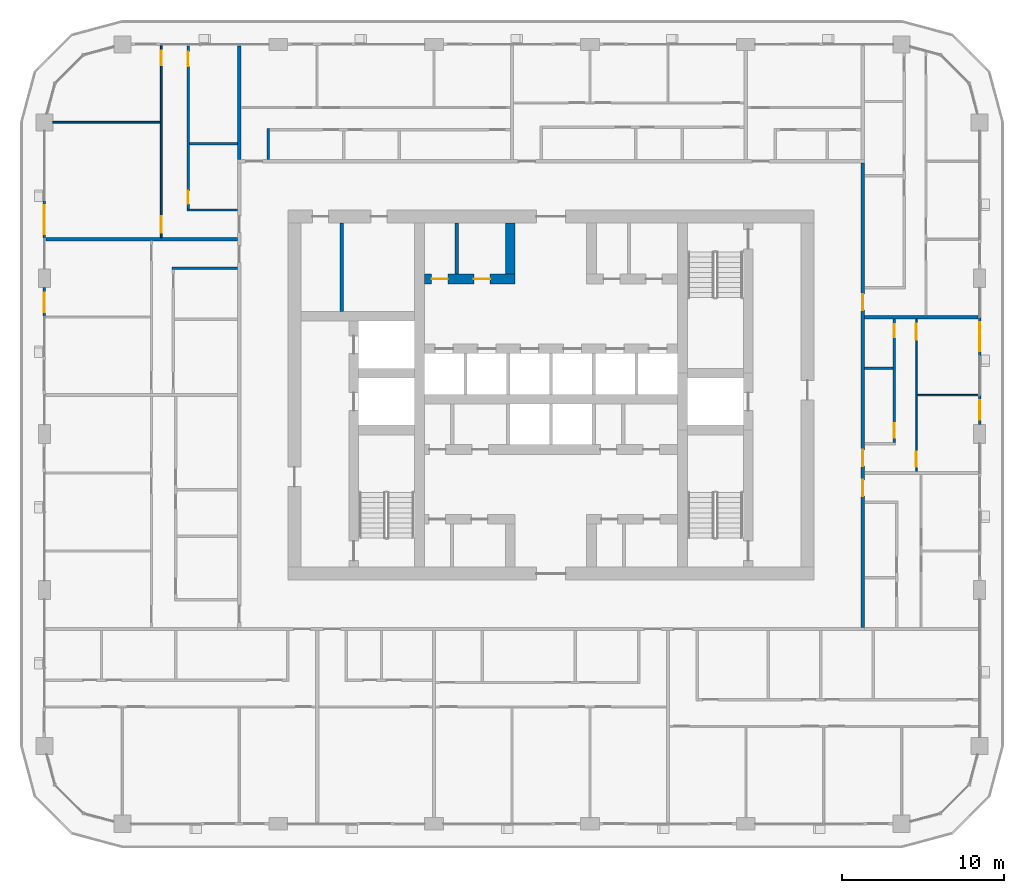
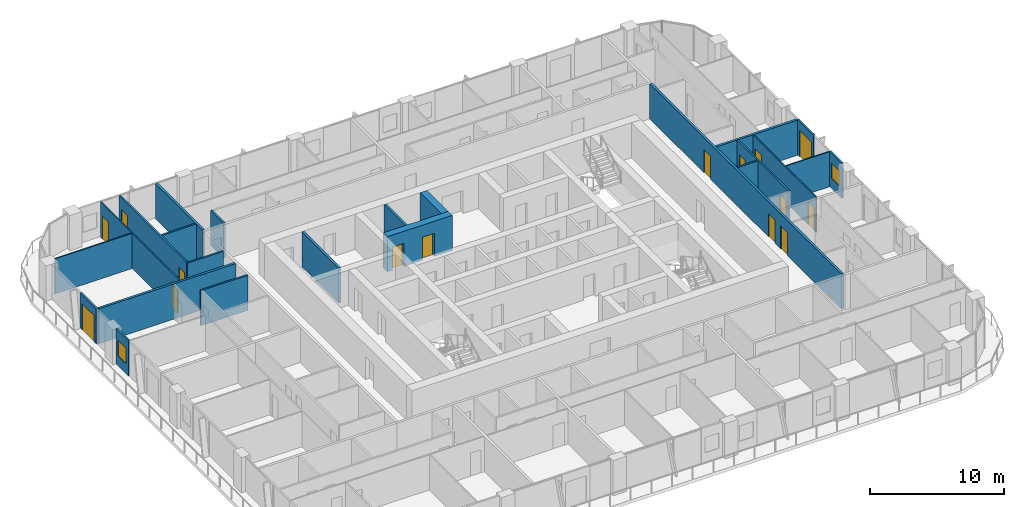
# One storey, part 13 of 22: 23 walls, 15 doors, 2 windows, 17 openings.
"""IFC4 building model written with IfcOpenShell, lengths in metres."""

from ifc_helpers import new_model, si_unit, direction, frame, frame_2d, origin, place, context, subcontext, project, spatial, rectangle, extrude, material, layer, layer_set, type_object, element, fill, save


model = new_model("IFC4")

# Units and contexts
model_context = context("Model", 3, precision=1e-05, world=origin(), true_north=direction((0.0, 1.0)))
body_context = subcontext(model_context, "Body", "Model", "MODEL_VIEW")
ifc_project = project(units=[si_unit("LENGTHUNIT", "METRE"), si_unit("AREAUNIT", "SQUARE_METRE"), si_unit("VOLUMEUNIT", "CUBIC_METRE"), si_unit("PLANEANGLEUNIT", "RADIAN"), si_unit("MASSUNIT", "GRAM", prefix="KILO")], contexts=[model_context])

# Site, building, storey
site_placement = place(None, origin())
site = spatial("IfcSite", under=ifc_project, at=site_placement, CompositionType="ELEMENT")
building_placement = place(site_placement, origin())
building = spatial("IfcBuilding", under=site, at=building_placement, Name="Madar Terraces", CompositionType="ELEMENT")
storey_placement = place(building_placement, frame((0.0, 0.0, 166.5)))
storey = spatial("IfcBuildingStorey", under=building, at=storey_placement, Name="L43", CompositionType="ELEMENT", Elevation=166.5)

# Wall, openings, doors
ifc_material_1 = material(Name="Concrete C70/85", Category="concrete")
ifc_layer_1 = layer(ifc_material_1, 0.60009765625)
ifc_layer_set_1 = layer_set([ifc_layer_1], Name="Concrete C70/85 (CIW3 RC wall 600)")
wall_type_1 = type_object("IfcWallType", Name="CIW3 RC wall 600", PredefinedType="SHEAR", material=ifc_layer_set_1)
wall_1_placement = place(storey_placement, frame((23.39990234375, 33.550048828125, 0.0), z_axis=(0.0, 0.0, 1.0), x_axis=(1.0, 0.0, 0.0)))
wall_1 = element("IfcWall", 1, at=wall_1_placement, inside=storey, type_object=wall_type_1, Name="CORE SHAFT WALL", PredefinedType="SHEAR", context=body_context, shape_type="SweptSolid", body=[
    extrude(rectangle(XDim=5.60009765625, YDim=0.60009765625, at=frame_2d((2.800048828125, 0.0))), origin(), (0.0, 0.0, 1.0), 3.199951171875),
])
opening_1_placement = place(wall_1_placement, frame((0.449951171875, 0.0, 0.0)))
opening_1 = element("IfcOpeningElement", 2, at=opening_1_placement, cuts=wall_1, Name="Opening KD2", PredefinedType="OPENING", context=body_context, shape_type="SweptSolid", body=[
    extrude(rectangle(XDim=1.0, YDim=2.10009765625, at=frame_2d((0.5, 1.050048828125))), frame((0.0, 0.31005859375, 0.0), z_axis=(0.0, -1.0, 0.0), x_axis=(1.0, 0.0, 0.0)), (0.0, 0.0, 1.0), 0.6201171875),
])
opening_2_placement = place(wall_1_placement, frame((3.050048828125, 0.0, 0.0)))
opening_2 = element("IfcOpeningElement", 3, at=opening_2_placement, cuts=wall_1, Name="Opening KD2", PredefinedType="OPENING", context=body_context, shape_type="SweptSolid", body=[
    extrude(rectangle(XDim=1.0, YDim=2.10009765625, at=frame_2d((0.5, 1.050048828125))), frame((0.0, 0.31005859375, 0.0), z_axis=(0.0, -1.0, 0.0), x_axis=(1.0, 0.0, 0.0)), (0.0, 0.0, 1.0), 0.6201171875),
])
ifc_material_2 = material(Name="Steel door leaf", Category="steel")
door_type_1 = type_object("IfcDoorType", Name="Service room door 1000 x 2100", OperationType="NOTDEFINED", PredefinedType="DOOR", material=ifc_material_2)
door_1_placement = place(opening_1_placement, frame((1.0, 0.0, 0.0), z_axis=(0.0, 0.0, 1.0), x_axis=(-1.0, 0.0, 0.0)))
door_1 = element("IfcDoor", 4, at=door_1_placement, inside=storey, type_object=door_type_1, Name="SERVICE ROOM DOOR", OperationType="SINGLE_SWING_RIGHT", OverallHeight=2.10009765625, OverallWidth=1.0, PredefinedType="DOOR", context=body_context, shape_type="SweptSolid", body=[
    extrude(rectangle(XDim=1.0, YDim=2.10009765625, at=frame_2d((0.5, 1.050048828125))), frame((0.0, 0.02490234375, 0.0), z_axis=(0.0, -1.0, 0.0), x_axis=(1.0, 0.0, 0.0)), (0.0, 0.0, 1.0), 0.050048828125),
])
fill(opening_1, door_1)
door_2_placement = place(opening_2_placement, frame((1.0, 0.0, 0.0), z_axis=(0.0, 0.0, 1.0), x_axis=(-1.0, 0.0, 0.0)))
door_2 = element("IfcDoor", 5, at=door_2_placement, inside=storey, type_object=door_type_1, Name="SERVICE ROOM DOOR", OperationType="SINGLE_SWING_LEFT", OverallHeight=2.10009765625, OverallWidth=1.0, PredefinedType="DOOR", context=body_context, shape_type="SweptSolid", body=[
    extrude(rectangle(XDim=1.0, YDim=2.10009765625, at=frame_2d((0.5, 1.050048828125))), frame((0.0, 0.02490234375, 0.0), z_axis=(0.0, -1.0, 0.0), x_axis=(1.0, 0.0, 0.0)), (0.0, 0.0, 1.0), 0.050048828125),
])
fill(opening_2, door_2)

# Walls
wall_2_placement = place(storey_placement, frame((28.699951171875, 33.85009765625, 0.0), z_axis=(0.0, 0.0, 1.0), x_axis=(0.0, 1.0, 0.0)))
element("IfcWall", 6, at=wall_2_placement, inside=storey, type_object=wall_type_1, Name="CORE SHAFT WALL", PredefinedType="SHEAR", context=body_context, shape_type="SweptSolid", body=[
    extrude(rectangle(XDim=3.14990234375, YDim=0.60009765625, at=frame_2d((1.574951171875, 0.0))), origin(), (0.0, 0.0, 1.0), 3.199951171875),
])
ifc_material_3 = material(Name="Masonry blockwork", Category="masonry")
ifc_layer_2 = layer(ifc_material_3, 0.199951171875)
ifc_layer_set_2 = layer_set([ifc_layer_2], Name="Core partition 200 blockwork")
wall_type_2 = type_object("IfcWallType", Name="Core partition 200 blockwork", PredefinedType="PARTITIONING", material=ifc_layer_set_2)
wall_3_placement = place(storey_placement, frame((18.320068359375, 31.550048828125, 0.0), z_axis=(0.0, 0.0, 1.0), x_axis=(0.0, 1.0, 0.0)))
element("IfcWall", 7, at=wall_3_placement, inside=storey, type_object=wall_type_2, Name="SERVICE ROOM PARTITION", PredefinedType="PARTITIONING", context=body_context, shape_type="SweptSolid", body=[
    extrude(rectangle(XDim=5.449951171875, YDim=0.199951171875, at=frame_2d((2.72509765625, 0.0))), origin(), (0.0, 0.0, 1.0), 3.199951171875),
])
wall_4_placement = place(storey_placement, frame((25.39990234375, 33.85009765625, 0.0), z_axis=(0.0, 0.0, 1.0), x_axis=(0.0, 1.0, 0.0)))
element("IfcWall", 8, at=wall_4_placement, inside=storey, type_object=wall_type_2, Name="SERVICE ROOM PARTITION", PredefinedType="PARTITIONING", context=body_context, shape_type="SweptSolid", body=[
    extrude(rectangle(XDim=3.14990234375, YDim=0.199951171875, at=frame_2d((1.574951171875, 0.0))), origin(), (0.0, 0.0, 1.0), 3.199951171875),
])

# Wall, opening, window
ifc_material_4 = material(Name="Aluminium composite panel, black, over insulated backing", Category="aluminium")
ifc_layer_3 = layer(ifc_material_4, 0.14990234375)
ifc_layer_set_3 = layer_set([ifc_layer_3], Name="Facade bay panel 150")
wall_type_3 = type_object("IfcWallType", Name="Facade bay panel 150", PredefinedType="SOLIDWALL", material=ifc_layer_set_3)
wall_5_placement = place(storey_placement, frame((57.60009765625, 24.574951171875, 0.0), z_axis=(0.0, 0.0, 1.0), x_axis=(0.0, 1.0, 0.0)))
wall_5 = element("IfcWall", 9, at=wall_5_placement, inside=storey, type_object=wall_type_3, Name="Facade bay panel", PredefinedType="SOLIDWALL", context=body_context, shape_type="SweptSolid", body=[
    extrude(rectangle(XDim=1.824951171875, YDim=0.14990234375, at=frame_2d((0.91259765625, 0.0))), origin(), (0.0, 0.0, 1.0), 3.199951171875),
])
opening_3_placement = place(wall_5_placement, frame((0.3125, 0.0, 0.89990234375)))
opening_3 = element("IfcOpeningElement", 10, at=opening_3_placement, cuts=wall_5, Name="Opening W1", PredefinedType="OPENING", context=body_context, shape_type="SweptSolid", body=[
    extrude(rectangle(XDim=1.199951171875, YDim=1.39990234375, at=frame_2d((0.60009765625, 0.699951171875))), frame((0.0, 0.0849609375, 0.0), z_axis=(0.0, -1.0, 0.0), x_axis=(1.0, 0.0, 0.0)), (0.0, 0.0, 1.0), 0.169921875),
])
ifc_material_5 = material(Name="Glass, clear, with black aluminium frame", Category="aluminium")
window_type = type_object("IfcWindowType", Name="Vent window 1200 x 1400", PartitioningType="SINGLE_PANEL", PredefinedType="WINDOW", material=ifc_material_5)
window_1_placement = place(opening_3_placement, origin())
window_1 = element("IfcWindow", 11, at=window_1_placement, inside=storey, type_object=window_type, Name="Operable vent window", OverallHeight=1.39990234375, OverallWidth=1.199951171875, PartitioningType="SINGLE_PANEL", PredefinedType="WINDOW", context=body_context, shape_type="SweptSolid", body=[
    extrude(rectangle(XDim=1.199951171875, YDim=1.39990234375, at=frame_2d((0.60009765625, 0.699951171875))), frame((0.0, 0.030029296875, 0.0), z_axis=(0.0, -1.0, 0.0), x_axis=(1.0, 0.0, 0.0)), (0.0, 0.0, 1.0), 0.06005859375),
])
fill(opening_3, window_1)

# Wall, opening, door
wall_6_placement = place(storey_placement, frame((57.60009765625, 28.800048828125, 0.0), z_axis=(0.0, 0.0, 1.0), x_axis=(0.0, 1.0, 0.0)))
wall_6 = element("IfcWall", 12, at=wall_6_placement, inside=storey, type_object=wall_type_3, Name="Facade bay panel", PredefinedType="SOLIDWALL", context=body_context, shape_type="SweptSolid", body=[
    extrude(rectangle(XDim=2.39990234375, YDim=0.14990234375, at=frame_2d((1.199951171875, 0.0))), origin(), (0.0, 0.0, 1.0), 3.199951171875),
])
opening_4_placement = place(wall_6_placement, frame((0.300048828125, 0.0, 0.0)))
opening_4 = element("IfcOpeningElement", 13, at=opening_4_placement, cuts=wall_6, Name="Opening ED1", PredefinedType="OPENING", context=body_context, shape_type="SweptSolid", body=[
    extrude(rectangle(XDim=1.800048828125, YDim=2.39990234375, at=frame_2d((0.89990234375, 1.199951171875))), frame((0.0, 0.0849609375, 0.0), z_axis=(0.0, -1.0, 0.0), x_axis=(1.0, 0.0, 0.0)), (0.0, 0.0, 1.0), 0.169921875),
])
ifc_material_6 = material(Name="Glass, clear, with black aluminium frame", Category="aluminium")
door_type_2 = type_object("IfcDoorType", Name="Balcony and terrace sliding door 1800 x 2400", OperationType="SLIDING_TO_LEFT", PredefinedType="DOOR", material=ifc_material_6)
door_3_placement = place(opening_4_placement, origin())
door_3 = element("IfcDoor", 14, at=door_3_placement, inside=storey, type_object=door_type_2, Name="Balcony door", OperationType="SLIDING_TO_RIGHT", OverallHeight=2.39990234375, OverallWidth=1.800048828125, PredefinedType="DOOR", context=body_context, shape_type="SweptSolid", body=[
    extrude(rectangle(XDim=1.800048828125, YDim=2.39990234375, at=frame_2d((0.89990234375, 1.199951171875))), frame((0.0, 0.02490234375, 0.0), z_axis=(0.0, -1.0, 0.0), x_axis=(1.0, 0.0, 0.0)), (0.0, 0.0, 1.0), 0.050048828125),
])
fill(opening_4, door_3)

wall_7_placement = place(storey_placement, frame((0.0, 38.39990234375, 0.0), z_axis=(0.0, 0.0, 1.0), x_axis=(0.0, -1.0, 0.0)))
wall_7 = element("IfcWall", 15, at=wall_7_placement, inside=storey, type_object=wall_type_3, Name="Facade bay panel", PredefinedType="SOLIDWALL", context=body_context, shape_type="SweptSolid", body=[
    extrude(rectangle(XDim=2.39990234375, YDim=0.14990234375, at=frame_2d((1.199951171875, 0.0))), origin(), (0.0, 0.0, 1.0), 3.199951171875),
])
opening_5_placement = place(wall_7_placement, frame((0.300048828125, 0.0, 0.0)))
opening_5 = element("IfcOpeningElement", 16, at=opening_5_placement, cuts=wall_7, Name="Opening ED1", PredefinedType="OPENING", context=body_context, shape_type="SweptSolid", body=[
    extrude(rectangle(XDim=1.800048828125, YDim=2.39990234375, at=frame_2d((0.89990234375, 1.199951171875))), frame((0.0, 0.0849609375, 0.0), z_axis=(0.0, -1.0, 0.0), x_axis=(1.0, 0.0, 0.0)), (0.0, 0.0, 1.0), 0.169921875),
])
door_4_placement = place(opening_5_placement, origin())
door_4 = element("IfcDoor", 17, at=door_4_placement, inside=storey, type_object=door_type_2, Name="Balcony door", OperationType="SLIDING_TO_LEFT", OverallHeight=2.39990234375, OverallWidth=1.800048828125, PredefinedType="DOOR", context=body_context, shape_type="SweptSolid", body=[
    extrude(rectangle(XDim=1.800048828125, YDim=2.39990234375, at=frame_2d((0.89990234375, 1.199951171875))), frame((0.0, 0.02490234375, 0.0), z_axis=(0.0, -1.0, 0.0), x_axis=(1.0, 0.0, 0.0)), (0.0, 0.0, 1.0), 0.050048828125),
])
fill(opening_5, door_4)

# Wall, opening, window
wall_8_placement = place(storey_placement, frame((0.0, 33.02490234375, 0.0), z_axis=(0.0, 0.0, 1.0), x_axis=(0.0, -1.0, 0.0)))
wall_8 = element("IfcWall", 18, at=wall_8_placement, inside=storey, type_object=wall_type_3, Name="Facade bay panel", PredefinedType="SOLIDWALL", context=body_context, shape_type="SweptSolid", body=[
    extrude(rectangle(XDim=1.824951171875, YDim=0.14990234375, at=frame_2d((0.91259765625, 0.0))), origin(), (0.0, 0.0, 1.0), 3.199951171875),
])
opening_6_placement = place(wall_8_placement, frame((0.3125, 0.0, 0.89990234375)))
opening_6 = element("IfcOpeningElement", 19, at=opening_6_placement, cuts=wall_8, Name="Opening W1", PredefinedType="OPENING", context=body_context, shape_type="SweptSolid", body=[
    extrude(rectangle(XDim=1.199951171875, YDim=1.39990234375, at=frame_2d((0.60009765625, 0.699951171875))), frame((0.0, 0.0849609375, 0.0), z_axis=(0.0, -1.0, 0.0), x_axis=(1.0, 0.0, 0.0)), (0.0, 0.0, 1.0), 0.169921875),
])
window_2_placement = place(opening_6_placement, origin())
window_2 = element("IfcWindow", 20, at=window_2_placement, inside=storey, type_object=window_type, Name="Operable vent window", OverallHeight=1.39990234375, OverallWidth=1.199951171875, PartitioningType="SINGLE_PANEL", PredefinedType="WINDOW", context=body_context, shape_type="SweptSolid", body=[
    extrude(rectangle(XDim=1.199951171875, YDim=1.39990234375, at=frame_2d((0.60009765625, 0.699951171875))), frame((0.0, 0.030029296875, 0.0), z_axis=(0.0, -1.0, 0.0), x_axis=(1.0, 0.0, 0.0)), (0.0, 0.0, 1.0), 0.06005859375),
])
fill(opening_6, window_2)

# Wall
ifc_material_7 = material(Name="Gypsum board on steel studs", Category="steel")
ifc_layer_4 = layer(ifc_material_7, 0.10009765625)
ifc_layer_set_4 = layer_set([ifc_layer_4], Name="Flat partition 100")
wall_type_4 = type_object("IfcWallType", Name="Flat partition 100", PredefinedType="PARTITIONING", material=ifc_layer_set_4)
wall_9_placement = place(storey_placement, frame((53.75, 26.39990234375, 0.0), z_axis=(0.0, 0.0, 1.0), x_axis=(1.0, 0.0, 0.0)))
element("IfcWall", 21, at=wall_9_placement, inside=storey, type_object=wall_type_4, Name="Flat partition 100", PredefinedType="PARTITIONING", context=body_context, shape_type="SweptSolid", body=[
    extrude(rectangle(XDim=3.75, YDim=0.10009765625, at=frame_2d((1.875, 0.0))), origin(), (0.0, 0.0, 1.0), 3.199951171875),
])

# Wall, openings, doors
wall_10_placement = place(storey_placement, frame((53.699951171875, 31.10009765625, 0.0), z_axis=(0.0, 0.0, 1.0), x_axis=(0.0, -1.0, 0.0)))
wall_10 = element("IfcWall", 22, at=wall_10_placement, inside=storey, type_object=wall_type_4, Name="Flat partition 100", PredefinedType="PARTITIONING", context=body_context, shape_type="SweptSolid", body=[
    extrude(rectangle(XDim=9.400146484375, YDim=0.10009765625, at=frame_2d((4.7001953125, 0.0))), origin(), (0.0, 0.0, 1.0), 3.199951171875),
])
opening_7_placement = place(wall_10_placement, frame((8.199951171875, 0.0, 0.0)))
opening_7 = element("IfcOpeningElement", 23, at=opening_7_placement, cuts=wall_10, Name="Opening D2", PredefinedType="OPENING", context=body_context, shape_type="SweptSolid", body=[
    extrude(rectangle(XDim=0.89990234375, YDim=2.10009765625, at=frame_2d((0.449951171875, 1.050048828125))), frame((0.0, 0.06005859375, 0.0), z_axis=(0.0, -1.0, 0.0), x_axis=(1.0, 0.0, 0.0)), (0.0, 0.0, 1.0), 0.1201171875),
])
opening_8_placement = place(wall_10_placement, frame((0.300048828125, 0.0, 0.0)))
opening_8 = element("IfcOpeningElement", 24, at=opening_8_placement, cuts=wall_10, Name="Opening D3", PredefinedType="OPENING", context=body_context, shape_type="SweptSolid", body=[
    extrude(rectangle(XDim=1.0, YDim=2.10009765625, at=frame_2d((0.5, 1.050048828125))), frame((0.0, 0.06005859375, 0.0), z_axis=(0.0, -1.0, 0.0), x_axis=(1.0, 0.0, 0.0)), (0.0, 0.0, 1.0), 0.1201171875),
])
ifc_material_8 = material(Name="Timber door leaf", Category="wood")
door_type_3 = type_object("IfcDoorType", Name="Flat living room door 1000", OperationType="NOTDEFINED", PredefinedType="DOOR", material=ifc_material_8)
door_5_placement = place(opening_8_placement, origin())
door_5 = element("IfcDoor", 25, at=door_5_placement, inside=storey, type_object=door_type_3, Name="Flat living room door 1000", OperationType="SINGLE_SWING_LEFT", OverallHeight=2.10009765625, OverallWidth=1.0, PredefinedType="DOOR", context=body_context, shape_type="SweptSolid", body=[
    extrude(rectangle(XDim=1.0, YDim=2.10009765625, at=frame_2d((0.5, 1.050048828125))), frame((0.0, 0.02490234375, 0.0), z_axis=(0.0, -1.0, 0.0), x_axis=(1.0, 0.0, 0.0)), (0.0, 0.0, 1.0), 0.050048828125),
])
fill(opening_8, door_5)
ifc_material_9 = material(Name="Timber door leaf", Category="wood")
door_type_4 = type_object("IfcDoorType", Name="Flat room door 900", OperationType="NOTDEFINED", PredefinedType="DOOR", material=ifc_material_9)
door_6_placement = place(opening_7_placement, origin())
door_6 = element("IfcDoor", 26, at=door_6_placement, inside=storey, type_object=door_type_4, Name="Flat room door 900", OperationType="SINGLE_SWING_RIGHT", OverallHeight=2.10009765625, OverallWidth=0.89990234375, PredefinedType="DOOR", context=body_context, shape_type="SweptSolid", body=[
    extrude(rectangle(XDim=0.89990234375, YDim=2.10009765625, at=frame_2d((0.449951171875, 1.050048828125))), frame((0.0, 0.02490234375, 0.0), z_axis=(0.0, -1.0, 0.0), x_axis=(1.0, 0.0, 0.0)), (0.0, 0.0, 1.0), 0.050048828125),
])
fill(opening_7, door_6)

# Wall
wall_11_placement = place(storey_placement, frame((7.14990234375, 43.199951171875, 0.0), z_axis=(0.0, 0.0, 1.0), x_axis=(-1.0, 0.0, 0.0)))
element("IfcWall", 27, at=wall_11_placement, inside=storey, type_object=wall_type_4, Name="Flat partition 100", PredefinedType="PARTITIONING", context=body_context, shape_type="SweptSolid", body=[
    extrude(rectangle(XDim=6.625, YDim=0.10009765625, at=frame_2d((3.3125, 0.0))), origin(), (0.0, 0.0, 1.0), 3.199951171875),
])

# Wall, openings, doors
wall_12_placement = place(storey_placement, frame((7.199951171875, 36.10009765625, 0.0), z_axis=(0.0, 0.0, 1.0), x_axis=(0.0, 1.0, 0.0)))
wall_12 = element("IfcWall", 28, at=wall_12_placement, inside=storey, type_object=wall_type_4, Name="Flat partition 100", PredefinedType="PARTITIONING", context=body_context, shape_type="SweptSolid", body=[
    extrude(rectangle(XDim=11.7998046875, YDim=0.10009765625, at=frame_2d((5.89990234375, 0.0))), origin(), (0.0, 0.0, 1.0), 3.199951171875),
])
opening_9_placement = place(wall_12_placement, frame((0.300048828125, 0.0, 0.0)))
opening_9 = element("IfcOpeningElement", 29, at=opening_9_placement, cuts=wall_12, Name="Opening D3", PredefinedType="OPENING", context=body_context, shape_type="SweptSolid", body=[
    extrude(rectangle(XDim=1.0, YDim=2.10009765625, at=frame_2d((0.5, 1.050048828125))), frame((0.0, 0.06005859375, 0.0), z_axis=(0.0, -1.0, 0.0), x_axis=(1.0, 0.0, 0.0)), (0.0, 0.0, 1.0), 0.1201171875),
])
opening_10_placement = place(wall_12_placement, frame((10.60009765625, 0.0, 0.0)))
opening_10 = element("IfcOpeningElement", 30, at=opening_10_placement, cuts=wall_12, Name="Opening D2", PredefinedType="OPENING", context=body_context, shape_type="SweptSolid", body=[
    extrude(rectangle(XDim=0.89990234375, YDim=2.10009765625, at=frame_2d((0.449951171875, 1.050048828125))), frame((0.0, 0.06005859375, 0.0), z_axis=(0.0, -1.0, 0.0), x_axis=(1.0, 0.0, 0.0)), (0.0, 0.0, 1.0), 0.1201171875),
])
door_7_placement = place(opening_9_placement, origin())
door_7 = element("IfcDoor", 31, at=door_7_placement, inside=storey, type_object=door_type_3, Name="Flat living room door 1000", OperationType="SINGLE_SWING_LEFT", OverallHeight=2.10009765625, OverallWidth=1.0, PredefinedType="DOOR", context=body_context, shape_type="SweptSolid", body=[
    extrude(rectangle(XDim=1.0, YDim=2.10009765625, at=frame_2d((0.5, 1.050048828125))), frame((0.0, 0.02490234375, 0.0), z_axis=(0.0, -1.0, 0.0), x_axis=(1.0, 0.0, 0.0)), (0.0, 0.0, 1.0), 0.050048828125),
])
fill(opening_9, door_7)
door_8_placement = place(opening_10_placement, origin())
door_8 = element("IfcDoor", 32, at=door_8_placement, inside=storey, type_object=door_type_4, Name="Flat room door 900", OperationType="SINGLE_SWING_RIGHT", OverallHeight=2.10009765625, OverallWidth=0.89990234375, PredefinedType="DOOR", context=body_context, shape_type="SweptSolid", body=[
    extrude(rectangle(XDim=0.89990234375, YDim=2.10009765625, at=frame_2d((0.449951171875, 1.050048828125))), frame((0.0, 0.02490234375, 0.0), z_axis=(0.0, -1.0, 0.0), x_axis=(1.0, 0.0, 0.0)), (0.0, 0.0, 1.0), 0.050048828125),
])
fill(opening_10, door_8)

ifc_material_10 = material(Name="Lightweight blockwork", Category="masonry")
ifc_layer_5 = layer(ifc_material_10, 0.199951171875)
ifc_layer_set_5 = layer_set([ifc_layer_5], Name="Flat party and entrance wall 200")
wall_type_5 = type_object("IfcWallType", Name="Flat party and entrance wall 200", PredefinedType="PARTITIONING", material=ifc_layer_set_5)
wall_13_placement = place(storey_placement, frame((50.39990234375, 40.699951171875, 0.0), z_axis=(0.0, 0.0, 1.0), x_axis=(0.0, -1.0, 0.0)))
wall_13 = element("IfcWall", 33, at=wall_13_placement, inside=storey, type_object=wall_type_5, Name="Flat party and entrance wall 200", PredefinedType="PARTITIONING", context=body_context, shape_type="SweptSolid", body=[
    extrude(rectangle(XDim=28.599853515625, YDim=0.199951171875, at=frame_2d((14.2998046875, 0.0))), origin(), (0.0, 0.0, 1.0), 3.199951171875),
])
opening_11_placement = place(wall_13_placement, frame((19.52490234375, 0.0, 0.0)))
opening_11 = element("IfcOpeningElement", 34, at=opening_11_placement, cuts=wall_13, Name="Opening D1", PredefinedType="OPENING", context=body_context, shape_type="SweptSolid", body=[
    extrude(rectangle(XDim=1.0, YDim=2.10009765625, at=frame_2d((0.5, 1.050048828125))), frame((0.0, 0.10986328125, 0.0), z_axis=(0.0, -1.0, 0.0), x_axis=(1.0, 0.0, 0.0)), (0.0, 0.0, 1.0), 0.219970703125),
])
opening_12_placement = place(wall_13_placement, frame((17.675048828125, 0.0, 0.0)))
opening_12 = element("IfcOpeningElement", 35, at=opening_12_placement, cuts=wall_13, Name="Opening D1", PredefinedType="OPENING", context=body_context, shape_type="SweptSolid", body=[
    extrude(rectangle(XDim=1.0, YDim=2.10009765625, at=frame_2d((0.5, 1.050048828125))), frame((0.0, 0.10986328125, 0.0), z_axis=(0.0, -1.0, 0.0), x_axis=(1.0, 0.0, 0.0)), (0.0, 0.0, 1.0), 0.219970703125),
])
opening_13_placement = place(wall_13_placement, frame((8.074951171875, 0.0, 0.0)))
opening_13 = element("IfcOpeningElement", 36, at=opening_13_placement, cuts=wall_13, Name="Opening D1", PredefinedType="OPENING", context=body_context, shape_type="SweptSolid", body=[
    extrude(rectangle(XDim=1.0, YDim=2.10009765625, at=frame_2d((0.5, 1.050048828125))), frame((0.0, 0.10986328125, 0.0), z_axis=(0.0, -1.0, 0.0), x_axis=(1.0, 0.0, 0.0)), (0.0, 0.0, 1.0), 0.219970703125),
])
ifc_material_11 = material(Name="Timber fire door leaf", Category="wood")
door_type_5 = type_object("IfcDoorType", Name="Flat entrance door 1000 FD30S", OperationType="NOTDEFINED", PredefinedType="DOOR", material=ifc_material_11)
door_9_placement = place(opening_11_placement, origin())
door_9 = element("IfcDoor", 37, at=door_9_placement, inside=storey, type_object=door_type_5, Name="Flat entrance door 1000 FD30S", OperationType="SINGLE_SWING_LEFT", OverallHeight=2.10009765625, OverallWidth=1.0, PredefinedType="DOOR", context=body_context, shape_type="SweptSolid", body=[
    extrude(rectangle(XDim=1.0, YDim=2.10009765625, at=frame_2d((0.5, 1.050048828125))), frame((0.0, 0.02490234375, 0.0), z_axis=(0.0, -1.0, 0.0), x_axis=(1.0, 0.0, 0.0)), (0.0, 0.0, 1.0), 0.050048828125),
])
fill(opening_11, door_9)
door_10_placement = place(opening_12_placement, origin())
door_10 = element("IfcDoor", 38, at=door_10_placement, inside=storey, type_object=door_type_5, Name="Flat entrance door 1000 FD30S", OperationType="SINGLE_SWING_RIGHT", OverallHeight=2.10009765625, OverallWidth=1.0, PredefinedType="DOOR", context=body_context, shape_type="SweptSolid", body=[
    extrude(rectangle(XDim=1.0, YDim=2.10009765625, at=frame_2d((0.5, 1.050048828125))), frame((0.0, 0.02490234375, 0.0), z_axis=(0.0, -1.0, 0.0), x_axis=(1.0, 0.0, 0.0)), (0.0, 0.0, 1.0), 0.050048828125),
])
fill(opening_12, door_10)
door_11_placement = place(opening_13_placement, origin())
door_11 = element("IfcDoor", 39, at=door_11_placement, inside=storey, type_object=door_type_5, Name="Flat entrance door 1000 FD30S", OperationType="SINGLE_SWING_RIGHT", OverallHeight=2.10009765625, OverallWidth=1.0, PredefinedType="DOOR", context=body_context, shape_type="SweptSolid", body=[
    extrude(rectangle(XDim=1.0, YDim=2.10009765625, at=frame_2d((0.5, 1.050048828125))), frame((0.0, 0.02490234375, 0.0), z_axis=(0.0, -1.0, 0.0), x_axis=(1.0, 0.0, 0.0)), (0.0, 0.0, 1.0), 0.050048828125),
])
fill(opening_13, door_11)

# Walls
for number, where, z_axis, x_axis, name in (
    (40, (50.5, 31.199951171875, 0.0), (0.0, 0.0, 1.0), (1.0, 0.0, 0.0), "Flat party and entrance wall 200"),
    (41, (12.0, 47.89990234375, 0.0), (0.0, 0.0, 1.0), (0.0, -1.0, 0.0), "Flat party and entrance wall 200"),
):
    element("IfcWall", number, at=place(storey_placement, frame(where, z_axis=z_axis, x_axis=x_axis)), inside=storey, type_object=wall_type_5, Name=name, PredefinedType="PARTITIONING", context=body_context, shape_type="SweptSolid", body=[
        extrude(rectangle(XDim=7.0, YDim=0.199951171875, at=frame_2d((3.5, 0.0))), origin(), (0.0, 0.0, 1.0), 3.199951171875),
    ])
wall_14_placement = place(storey_placement, frame((0.10009765625, 36.0, 0.0), z_axis=(0.0, 0.0, 1.0), x_axis=(1.0, 0.0, 0.0)))
element("IfcWall", 42, at=wall_14_placement, inside=storey, type_object=wall_type_5, Name="Flat party and entrance wall 200", PredefinedType="PARTITIONING", context=body_context, shape_type="SweptSolid", body=[
    extrude(rectangle(XDim=11.7998046875, YDim=0.199951171875, at=frame_2d((5.89990234375, 0.0))), origin(), (0.0, 0.0, 1.0), 3.199951171875),
])
ifc_material_12 = material(Name="Lightweight blockwork", Category="masonry")
ifc_layer_6 = layer(ifc_material_12, 0.14990234375)
ifc_layer_set_6 = layer_set([ifc_layer_6], Name="Flat wet-room partition 150")
wall_type_6 = type_object("IfcWallType", Name="Flat wet-room partition 150", PredefinedType="PARTITIONING", material=ifc_layer_set_6)
wall_15_placement = place(storey_placement, frame((50.5, 28.050048828125, 0.0), z_axis=(0.0, 0.0, 1.0), x_axis=(1.0, 0.0, 0.0)))
element("IfcWall", 43, at=wall_15_placement, inside=storey, type_object=wall_type_6, Name="Flat wet-room partition 150", PredefinedType="PARTITIONING", context=body_context, shape_type="SweptSolid", body=[
    extrude(rectangle(XDim=1.77490234375, YDim=0.14990234375, at=frame_2d((0.887451171875, 0.0))), origin(), (0.0, 0.0, 1.0), 3.199951171875),
])

# Wall, openings, doors
wall_16_placement = place(storey_placement, frame((52.35009765625, 23.47509765625, 0.0), z_axis=(0.0, 0.0, 1.0), x_axis=(0.0, 1.0, 0.0)))
wall_16 = element("IfcWall", 44, at=wall_16_placement, inside=storey, type_object=wall_type_6, Name="Flat wet-room partition 150", PredefinedType="PARTITIONING", context=body_context, shape_type="SweptSolid", body=[
    extrude(rectangle(XDim=7.625, YDim=0.14990234375, at=frame_2d((3.8125, 0.0))), origin(), (0.0, 0.0, 1.0), 3.199951171875),
])
opening_14_placement = place(wall_16_placement, frame((0.300048828125, 0.0, 0.0)))
opening_14 = element("IfcOpeningElement", 45, at=opening_14_placement, cuts=wall_16, Name="Opening D2", PredefinedType="OPENING", context=body_context, shape_type="SweptSolid", body=[
    extrude(rectangle(XDim=0.89990234375, YDim=2.10009765625, at=frame_2d((0.449951171875, 1.050048828125))), frame((0.0, 0.0849609375, 0.0), z_axis=(0.0, -1.0, 0.0), x_axis=(1.0, 0.0, 0.0)), (0.0, 0.0, 1.0), 0.169921875),
])
opening_15_placement = place(wall_16_placement, frame((6.47509765625, 0.0, 0.0)))
opening_15 = element("IfcOpeningElement", 46, at=opening_15_placement, cuts=wall_16, Name="Opening D4", PredefinedType="OPENING", context=body_context, shape_type="SweptSolid", body=[
    extrude(rectangle(XDim=0.800048828125, YDim=2.10009765625, at=frame_2d((0.39990234375, 1.050048828125))), frame((0.0, 0.0849609375, 0.0), z_axis=(0.0, -1.0, 0.0), x_axis=(1.0, 0.0, 0.0)), (0.0, 0.0, 1.0), 0.169921875),
])
ifc_material_13 = material(Name="Timber door leaf", Category="wood")
door_type_6 = type_object("IfcDoorType", Name="Flat bathroom door 800", OperationType="NOTDEFINED", PredefinedType="DOOR", material=ifc_material_13)
door_12_placement = place(opening_15_placement, origin())
door_12 = element("IfcDoor", 47, at=door_12_placement, inside=storey, type_object=door_type_6, Name="Flat bathroom door 800", OperationType="SINGLE_SWING_RIGHT", OverallHeight=2.10009765625, OverallWidth=0.800048828125, PredefinedType="DOOR", context=body_context, shape_type="SweptSolid", body=[
    extrude(rectangle(XDim=0.800048828125, YDim=2.10009765625, at=frame_2d((0.39990234375, 1.050048828125))), frame((0.0, 0.02490234375, 0.0), z_axis=(0.0, -1.0, 0.0), x_axis=(1.0, 0.0, 0.0)), (0.0, 0.0, 1.0), 0.050048828125),
])
fill(opening_15, door_12)
door_13_placement = place(opening_14_placement, origin())
door_13 = element("IfcDoor", 48, at=door_13_placement, inside=storey, type_object=door_type_4, Name="Flat room door 900", OperationType="SINGLE_SWING_LEFT", OverallHeight=2.10009765625, OverallWidth=0.89990234375, PredefinedType="DOOR", context=body_context, shape_type="SweptSolid", body=[
    extrude(rectangle(XDim=0.89990234375, YDim=2.10009765625, at=frame_2d((0.449951171875, 1.050048828125))), frame((0.0, 0.02490234375, 0.0), z_axis=(0.0, -1.0, 0.0), x_axis=(1.0, 0.0, 0.0)), (0.0, 0.0, 1.0), 0.050048828125),
])
fill(opening_14, door_13)

# Walls
wall_17_placement = place(storey_placement, frame((13.800048828125, 40.89990234375, 0.0), z_axis=(0.0, 0.0, 1.0), x_axis=(0.0, 1.0, 0.0)))
element("IfcWall", 49, at=wall_17_placement, inside=storey, type_object=wall_type_6, Name="Flat wet-room partition 150", PredefinedType="PARTITIONING", context=body_context, shape_type="SweptSolid", body=[
    extrude(rectangle(XDim=1.925048828125, YDim=0.14990234375, at=frame_2d((0.96240234375, 0.0))), origin(), (0.0, 0.0, 1.0), 3.199951171875),
])
wall_18_placement = place(storey_placement, frame((11.89990234375, 41.885009765625, 0.0), z_axis=(0.0, 0.0, 1.0), x_axis=(-1.0, 0.0, 0.0)))
element("IfcWall", 50, at=wall_18_placement, inside=storey, type_object=wall_type_6, Name="Flat wet-room partition 150", PredefinedType="PARTITIONING", context=body_context, shape_type="SweptSolid", body=[
    extrude(rectangle(XDim=2.974853515625, YDim=0.14990234375, at=frame_2d((1.4873046875, 0.0))), origin(), (0.0, 0.0, 1.0), 3.199951171875),
])
wall_19_placement = place(storey_placement, frame((11.89990234375, 37.800048828125, 0.0), z_axis=(0.0, 0.0, 1.0), x_axis=(-1.0, 0.0, 0.0)))
element("IfcWall", 51, at=wall_19_placement, inside=storey, type_object=wall_type_6, Name="Flat wet-room partition 150", PredefinedType="PARTITIONING", context=body_context, shape_type="SweptSolid", body=[
    extrude(rectangle(XDim=3.125, YDim=0.14990234375, at=frame_2d((1.5625, 0.0))), origin(), (0.0, 0.0, 1.0), 3.199951171875),
])

# Wall, openings, doors
wall_20_placement = place(storey_placement, frame((8.85009765625, 47.89990234375, 0.0), z_axis=(0.0, 0.0, 1.0), x_axis=(0.0, -1.0, 0.0)))
wall_20 = element("IfcWall", 52, at=wall_20_placement, inside=storey, type_object=wall_type_6, Name="Flat wet-room partition 150", PredefinedType="PARTITIONING", context=body_context, shape_type="SweptSolid", body=[
    extrude(rectangle(XDim=10.02490234375, YDim=0.14990234375, at=frame_2d((5.012451171875, 0.0))), origin(), (0.0, 0.0, 1.0), 3.199951171875),
])
opening_16_placement = place(wall_20_placement, frame((8.925048828125, 0.0, 0.0)))
opening_16 = element("IfcOpeningElement", 53, at=opening_16_placement, cuts=wall_20, Name="Opening D4", PredefinedType="OPENING", context=body_context, shape_type="SweptSolid", body=[
    extrude(rectangle(XDim=0.800048828125, YDim=2.10009765625, at=frame_2d((0.39990234375, 1.050048828125))), frame((0.0, 0.0849609375, 0.0), z_axis=(0.0, -1.0, 0.0), x_axis=(1.0, 0.0, 0.0)), (0.0, 0.0, 1.0), 0.169921875),
])
opening_17_placement = place(wall_20_placement, frame((0.35009765625, 0.0, 0.0)))
opening_17 = element("IfcOpeningElement", 54, at=opening_17_placement, cuts=wall_20, Name="Opening D2", PredefinedType="OPENING", context=body_context, shape_type="SweptSolid", body=[
    extrude(rectangle(XDim=0.89990234375, YDim=2.10009765625, at=frame_2d((0.449951171875, 1.050048828125))), frame((0.0, 0.0849609375, 0.0), z_axis=(0.0, -1.0, 0.0), x_axis=(1.0, 0.0, 0.0)), (0.0, 0.0, 1.0), 0.169921875),
])
door_14_placement = place(opening_16_placement, origin())
door_14 = element("IfcDoor", 55, at=door_14_placement, inside=storey, type_object=door_type_6, Name="Flat bathroom door 800", OperationType="SINGLE_SWING_RIGHT", OverallHeight=2.10009765625, OverallWidth=0.800048828125, PredefinedType="DOOR", context=body_context, shape_type="SweptSolid", body=[
    extrude(rectangle(XDim=0.800048828125, YDim=2.10009765625, at=frame_2d((0.39990234375, 1.050048828125))), frame((0.0, 0.02490234375, 0.0), z_axis=(0.0, -1.0, 0.0), x_axis=(1.0, 0.0, 0.0)), (0.0, 0.0, 1.0), 0.050048828125),
])
fill(opening_16, door_14)
door_15_placement = place(opening_17_placement, origin())
door_15 = element("IfcDoor", 56, at=door_15_placement, inside=storey, type_object=door_type_4, Name="Flat room door 900", OperationType="SINGLE_SWING_LEFT", OverallHeight=2.10009765625, OverallWidth=0.89990234375, PredefinedType="DOOR", context=body_context, shape_type="SweptSolid", body=[
    extrude(rectangle(XDim=0.89990234375, YDim=2.10009765625, at=frame_2d((0.449951171875, 1.050048828125))), frame((0.0, 0.02490234375, 0.0), z_axis=(0.0, -1.0, 0.0), x_axis=(1.0, 0.0, 0.0)), (0.0, 0.0, 1.0), 0.050048828125),
])
fill(opening_17, door_15)

# Wall
wall_21_placement = place(storey_placement, frame((11.89990234375, 34.199951171875, 0.0), z_axis=(0.0, 0.0, 1.0), x_axis=(-1.0, 0.0, 0.0)))
element("IfcWall", 57, at=wall_21_placement, inside=storey, type_object=wall_type_6, Name="Flat wet-room partition 150", PredefinedType="PARTITIONING", context=body_context, shape_type="SweptSolid", body=[
    extrude(rectangle(XDim=4.02490234375, YDim=0.14990234375, at=frame_2d((2.012451171875, 0.0))), origin(), (0.0, 0.0, 1.0), 3.199951171875),
])

save(model, "model.ifc")
